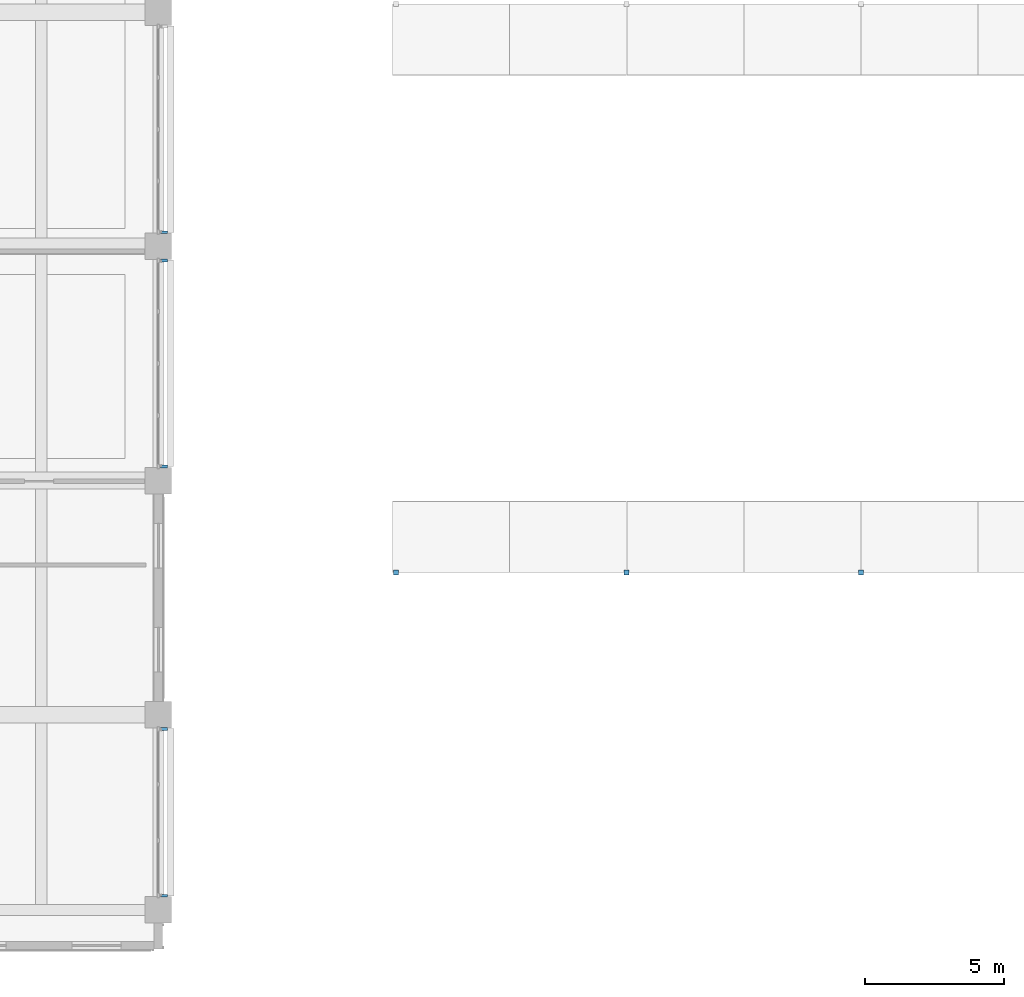
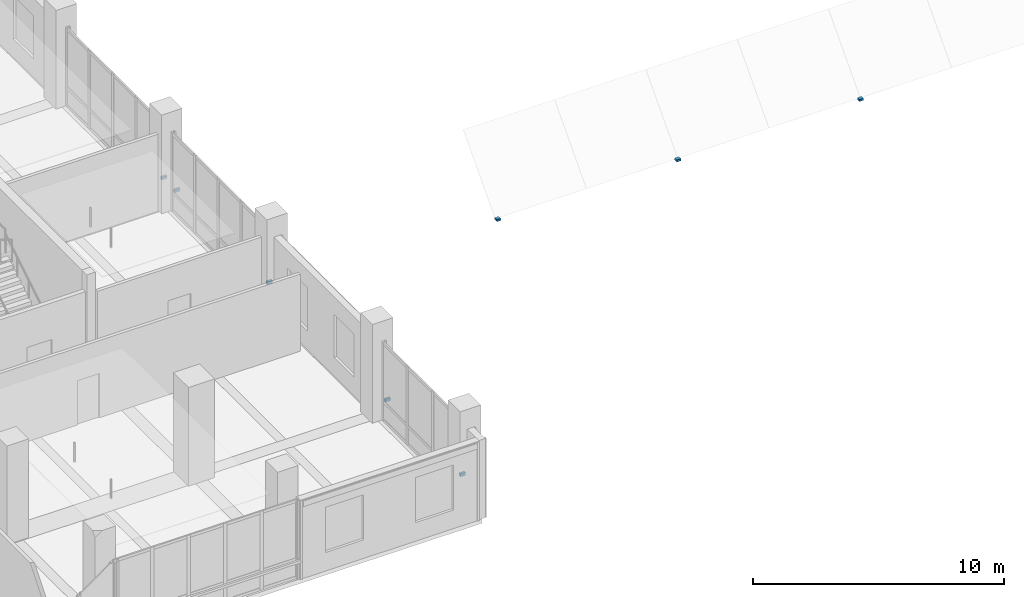
# One storey, part 78 of 122: 8 discrete accessories.
"""IFC4 building model written with IfcOpenShell, lengths in metres."""

from ifc_helpers import new_model, si_unit, direction, frame, origin, origin_2d, place, context, subcontext, project, spatial, rectangle, extrude, material, type_object, element, save


model = new_model("IFC4")

# Units and contexts
model_context = context("Model", 3, precision=1e-05, world=origin(), true_north=direction((0.0, 1.0)))
body_context = subcontext(model_context, "Body", "Model", "MODEL_VIEW")
ifc_project = project(units=[si_unit("LENGTHUNIT", "METRE"), si_unit("AREAUNIT", "SQUARE_METRE"), si_unit("VOLUMEUNIT", "CUBIC_METRE"), si_unit("PLANEANGLEUNIT", "RADIAN"), si_unit("MASSUNIT", "GRAM", prefix="KILO")], contexts=[model_context])

# Site, building, storey
site_placement = place(None, origin())
site = spatial("IfcSite", under=ifc_project, at=site_placement, CompositionType="ELEMENT")
building_placement = place(site_placement, origin())
building = spatial("IfcBuilding", under=site, at=building_placement, Name="Telukmera Botanical Conservatory", CompositionType="ELEMENT")
storey_placement = place(building_placement, frame((0.0, 0.0, 10.199951171875)))
storey = spatial("IfcBuildingStorey", under=building, at=storey_placement, Name="L02", CompositionType="ELEMENT", Elevation=10.199951171875)

# Discrete accessories
ifc_material = material(Name="Steel S355", Category="steel")
discrete_accessory_type_1 = type_object("IfcDiscreteAccessoryType", Name="Structural Steel Facade Outrigger Fin Bracket", PredefinedType="BRACKET", material=ifc_material)
for number, where, z_axis, x_axis, name in (
    (1, (109.39990234375, 11.109619140625, 0.8798828125), (0.0, 0.0, 1.0), (0.0, 1.0, 0.0), "Facade Outrigger Bracket V4:L02:E1 A"),
    (2, (109.39990234375, 17.090576171875, 0.8798828125), (0.0, 0.0, 1.0), (0.0, 1.0, 0.0), "Facade Outrigger Bracket V4:L02:E1 B"),
    (3, (109.39990234375, 26.509521484375, 0.8798828125), (0.0, 0.0, 1.0), (0.0, 1.0, 0.0), "Facade Outrigger Bracket V4:L02:E3 A"),
    (4, (109.39990234375, 33.890380859375, 0.8798828125), (0.0, 0.0, 1.0), (0.0, 1.0, 0.0), "Facade Outrigger Bracket V4:L02:E3 B"),
    (5, (109.39990234375, 34.909423828125, 0.8798828125), (0.0, 0.0, 1.0), (0.0, 1.0, 0.0), "Facade Outrigger Bracket V4:L02:E4 A"),
):
    element("IfcDiscreteAccessory", number, at=place(storey_placement, frame(where, z_axis=z_axis, x_axis=x_axis)), inside=storey, type_object=discrete_accessory_type_1, Name=name, PredefinedType="BRACKET", context=body_context, shape_type="SweptSolid", body=[
        extrude(rectangle(XDim=0.10009765625, YDim=0.239990234375, at=origin_2d()), origin(), (0.0, 0.0, 1.0), 0.139892578125),
    ])
discrete_accessory_type_2 = type_object("IfcDiscreteAccessoryType", Name="Structural Steel Gridshell Glazing Shoe Bracket", PredefinedType="BRACKET", material=ifc_material)
for number, where, z_axis, x_axis, name in (
    (6, (117.719970703125, 22.699951171875, 3.365234375), (0.0, 0.0, 1.0), (1.0, 0.0, 0.0), "Conservatory Node Glazing Spider Bracket 00-02"),
    (7, (126.0, 22.699951171875, 3.365234375), (0.0, 0.0, 1.0), (1.0, 0.0, 0.0), "Conservatory Node Glazing Spider Bracket 02-02"),
    (8, (134.39990234375, 22.699951171875, 3.365234375), (0.0, 0.0, 1.0), (1.0, 0.0, 0.0), "Conservatory Node Glazing Spider Bracket 04-02"),
):
    element("IfcDiscreteAccessory", number, at=place(storey_placement, frame(where, z_axis=z_axis, x_axis=x_axis)), inside=storey, type_object=discrete_accessory_type_2, Name=name, PredefinedType="BRACKET", context=body_context, shape_type="SweptSolid", body=[
        extrude(rectangle(XDim=0.179931640625, YDim=0.179931640625, at=origin_2d()), origin(), (0.0, 0.0, 1.0), 0.094970703125),
    ])

save(model, "model.ifc")
